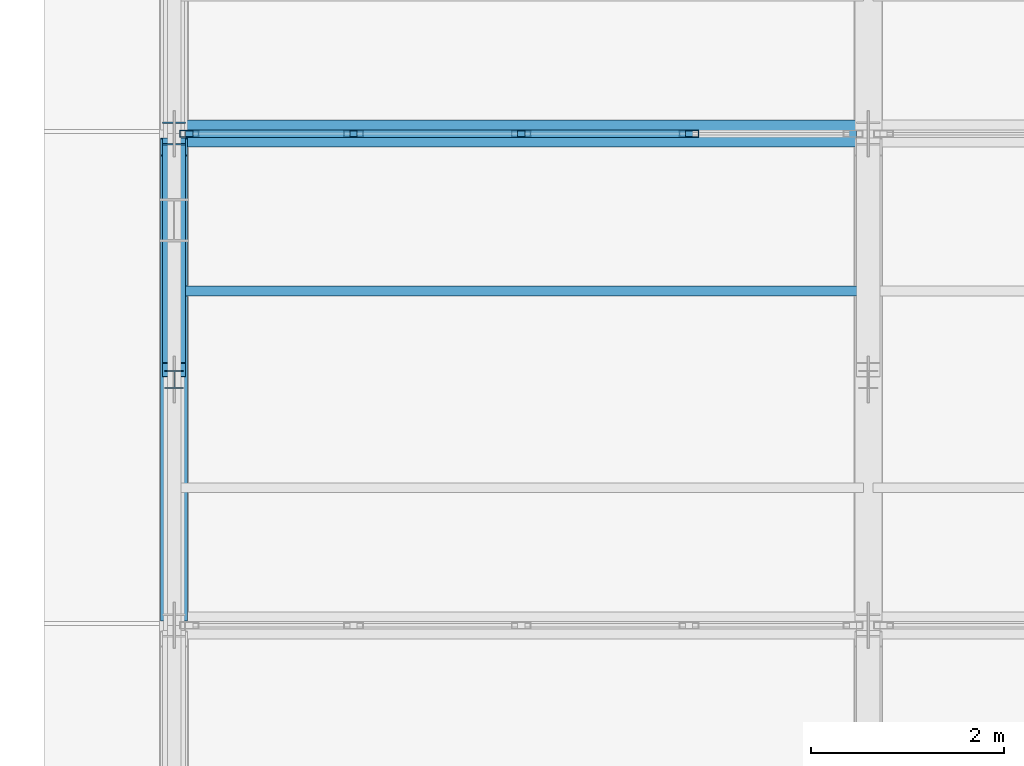
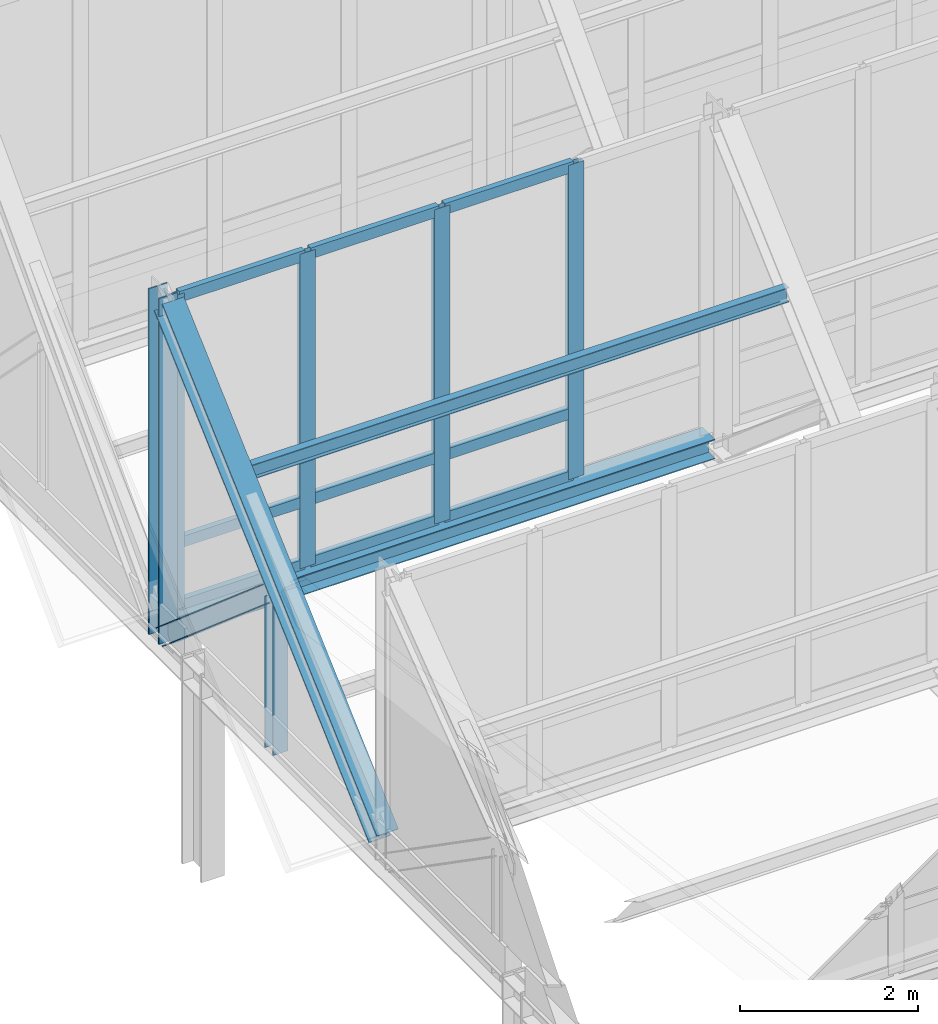
# One storey, part 40 of 157: 18 members, 1 beam, 1 element without a shape of its own.
"""IFC4 building model written with IfcOpenShell, lengths in metres."""

from ifc_helpers import new_model, si_unit, direction, frame, origin, origin_2d, place, context, subcontext, project, spatial, hollow_rectangle, i_section, extrude, material, material_profile, profile_set, type_object, element, aggregate, save


model = new_model("IFC4")

# Units and contexts
model_context = context("Model", 3, precision=1e-05, world=origin(), true_north=direction((0.0, 1.0)))
body_context = subcontext(model_context, "Body", "Model", "MODEL_VIEW")
ifc_project = project(units=[si_unit("LENGTHUNIT", "METRE"), si_unit("AREAUNIT", "SQUARE_METRE"), si_unit("VOLUMEUNIT", "CUBIC_METRE"), si_unit("PLANEANGLEUNIT", "RADIAN"), si_unit("MASSUNIT", "GRAM", prefix="KILO")], contexts=[model_context])

# Site, building, storey
site_placement = place(None, origin())
site = spatial("IfcSite", under=ifc_project, at=site_placement, CompositionType="ELEMENT")
building_placement = place(site_placement, origin())
building = spatial("IfcBuilding", under=site, at=building_placement, Name="Suanplinth Sawtooth Commons", CompositionType="ELEMENT")
storey_placement = place(building_placement, frame((0.0, 0.0, 9.0)))
storey = spatial("IfcBuildingStorey", under=building, at=storey_placement, Name="L02", CompositionType="ELEMENT", Elevation=9.0)

# Beam
ifc_material_1 = material(Name="Steel S355JR", Category="steel")
ifc_material_profile_1 = material_profile(ifc_material_1, i_section(OverallWidth=0.280029296875, OverallDepth=0.27001953125, WebThickness=0.008056640625, FlangeThickness=0.012939453125, at=origin_2d()), Name="HEA 280")
ifc_profile_set_1 = profile_set([ifc_material_profile_1], Name="Steel S355JR")
beam_type = type_object("IfcBeamType", Name="B-16", PredefinedType="USERDEFINED", material=ifc_profile_set_1)
beam_placement = place(storey_placement, frame((64.919921875, 65.699951171875, 2.820068359375), z_axis=(1.0, 0.0, 0.0), x_axis=(0.0, 1.0, 0.0)))
element("IfcBeam", 1, at=beam_placement, inside=storey, type_object=beam_type, Name="Sawtooth Valley Girder T4-B1", ObjectType="GIRDER", PredefinedType="USERDEFINED", context=body_context, shape_type="SweptSolid", body=[
    extrude(i_section(OverallWidth=0.280029296875, OverallDepth=0.27001953125, WebThickness=0.008056640625, FlangeThickness=0.012939453125, at=origin_2d()), origin(), (0.0, 0.0, 1.0), 6.9599609375),
])

# Members
ifc_material_profile_2 = material_profile(ifc_material_1, i_section(OverallWidth=0.280029296875, OverallDepth=0.280029296875, WebThickness=0.010498046875, FlangeThickness=0.01806640625, at=origin_2d()), Name="HEB 280")
ifc_profile_set_2 = profile_set([ifc_material_profile_2], Name="Steel S355JR")
member_type_1 = type_object("IfcMemberType", Name="M-02", PredefinedType="CHORD", material=ifc_profile_set_2)
member_1_placement = place(storey_placement, frame((64.800048828125, 60.739990234375, 2.919921875), z_axis=(0.0, 0.740839311711, 0.671682301556), x_axis=(-1.0, 0.0, 0.0)))
element("IfcMember", 2, at=member_1_placement, inside=storey, type_object=member_type_1, Name="Sawtooth Truss T1 Top Chord 3", PredefinedType="CHORD", context=body_context, shape_type="SweptSolid", body=[
    extrude(i_section(OverallWidth=0.280029296875, OverallDepth=0.280029296875, WebThickness=0.010498046875, FlangeThickness=0.01806640625, at=origin_2d()), origin(), (0.0, 0.0, 1.0), 6.50634765625),
])
ifc_material_profile_3 = material_profile(ifc_material_1, i_section(OverallWidth=0.239990234375, OverallDepth=0.22998046875, WebThickness=0.007568359375, FlangeThickness=0.011962890625, at=origin_2d()), Name="HEA 240")
ifc_profile_set_3 = profile_set([ifc_material_profile_3], Name="Steel S355JR")
member_type_2 = type_object("IfcMemberType", Name="M-03", PredefinedType="BRACE", material=ifc_profile_set_3)
member_2_placement = place(storey_placement, frame((64.800048828125, 63.25, 4.7451171875), z_axis=(0.0, 0.759593581641, -0.65039802485), x_axis=(-1.0, 0.0, 0.0)))
element("IfcMember", 3, at=member_2_placement, inside=storey, type_object=member_type_2, Name="Sawtooth Truss T1 Web Diagonal 3", PredefinedType="BRACE", context=body_context, shape_type="SweptSolid", body=[
    extrude(i_section(OverallWidth=0.239990234375, OverallDepth=0.22998046875, WebThickness=0.007568359375, FlangeThickness=0.011962890625, at=origin_2d()), origin(), (0.0, 0.0, 1.0), 3.067626953125),
])
ifc_material_profile_4 = material_profile(ifc_material_1, i_section(OverallWidth=0.199951171875, OverallDepth=0.18994140625, WebThickness=0.006591796875, FlangeThickness=0.010009765625, at=origin_2d()), Name="HEA 200")
ifc_profile_set_4 = profile_set([ifc_material_profile_4], Name="Steel S355JR")
member_type_3 = type_object("IfcMemberType", Name="M-04", PredefinedType="BRACE", material=ifc_profile_set_4)
member_3_placement = place(storey_placement, frame((64.800048828125, 63.14990234375, 2.64990234375), z_axis=(0.0, 0.0, 1.0), x_axis=(1.0, 0.0, 0.0)))
element("IfcMember", 4, at=member_3_placement, inside=storey, type_object=member_type_3, Name="Sawtooth Truss T1 Mid Web Post 3", PredefinedType="BRACE", context=body_context, shape_type="SweptSolid", body=[
    extrude(i_section(OverallWidth=0.199951171875, OverallDepth=0.18994140625, WebThickness=0.006591796875, FlangeThickness=0.010009765625, at=origin_2d()), origin(), (0.0, 0.0, 1.0), 2.0751953125),
])
ifc_material_profile_5 = material_profile(ifc_material_1, i_section(OverallWidth=0.239990234375, OverallDepth=0.239990234375, WebThickness=0.010009765625, FlangeThickness=0.01708984375, at=origin_2d()), Name="HEB 240")
ifc_profile_set_5 = profile_set([ifc_material_profile_5], Name="Steel S355JR")
member_type_4 = type_object("IfcMemberType", Name="M-05", PredefinedType="POST", material=ifc_profile_set_5)
member_4_placement = place(storey_placement, frame((64.800048828125, 65.699951171875, 2.64990234375), z_axis=(0.0, 0.0, 1.0), x_axis=(1.0, 0.0, 0.0)))
element("IfcMember", 5, at=member_4_placement, inside=storey, type_object=member_type_4, Name="Sawtooth Truss T1 Clerestory Post 3", PredefinedType="POST", context=body_context, shape_type="SweptSolid", body=[
    extrude(i_section(OverallWidth=0.239990234375, OverallDepth=0.239990234375, WebThickness=0.010009765625, FlangeThickness=0.01708984375, at=origin_2d()), origin(), (0.0, 0.0, 1.0), 4.739990234375),
])
ifc_material_2 = material(Name="Steel SS400", Category="steel")
ifc_material_profile_6 = material_profile(ifc_material_2, i_section(OverallWidth=0.10009765625, OverallDepth=0.199951171875, WebThickness=0.005615234375, FlangeThickness=0.008544921875, at=origin_2d()), Name="IPE 200")
ifc_profile_set_6 = profile_set([ifc_material_profile_6], Name="Steel SS400")
member_type_5 = type_object("IfcMemberType", Name="M-06", PredefinedType="PURLIN", material=ifc_profile_set_6)
member_5_placement = place(storey_placement, frame((64.85009765625, 64.068115234375, 5.84716796875), z_axis=(1.0, 0.0, 0.0), x_axis=(0.0, 1.0, 0.0)))
element("IfcMember", 6, at=member_5_placement, inside=storey, type_object=member_type_5, Name="Sawtooth Roof Purlin T3-B1-P2", PredefinedType="PURLIN", context=body_context, shape_type="SweptSolid", body=[
    extrude(i_section(OverallWidth=0.10009765625, OverallDepth=0.199951171875, WebThickness=0.005615234375, FlangeThickness=0.008544921875, at=origin_2d()), origin(), (0.0, 0.0, 1.0), 7.099853515625),
])

# Curtain wall, members
ifc_material_3 = material(Name="Anodized aluminium and low-E glazing", Category="aluminium")
curtain_wall_type = type_object("IfcCurtainWallType", Name="CW-03", PredefinedType="USERDEFINED", material=ifc_material_3)
curtain_wall_placement = place(storey_placement, origin())
curtain_wall = element("IfcCurtainWall", 7, at=curtain_wall_placement, inside=storey, type_object=curtain_wall_type, Name="Curtain Wall CW-SAW-T3-B1", ObjectType="CURTAIN WALL", PredefinedType="USERDEFINED")
ifc_material_4 = material(Name="Anodized aluminium 6063-T6", Category="aluminium")
ifc_material_profile_7 = material_profile(ifc_material_4, hollow_rectangle(XDim=0.074951171875, YDim=0.199951171875, WallThickness=0.0048828125, at=origin_2d()), Name="ALU-MUL 75x200")
ifc_profile_set_7 = profile_set([ifc_material_profile_7], Name="Anodized aluminium 6063-T6")
member_type_6 = type_object("IfcMemberType", Name="M-14", PredefinedType="MULLION", material=ifc_profile_set_7)
member_6_placement = place(storey_placement, frame((64.95751953125, 65.699951171875, 2.97998046875), z_axis=(0.0, 0.0, 1.0), x_axis=(0.0, 1.0, 0.0)))
member_6 = element("IfcMember", 8, at=member_6_placement, type_object=member_type_6, Name="CW-03 mullion 1", PredefinedType="MULLION", context=body_context, shape_type="SweptSolid", body=[
    extrude(hollow_rectangle(XDim=0.074951171875, YDim=0.199951171875, WallThickness=0.0048828125, at=origin_2d()), origin(), (0.0, 0.0, 1.0), 4.31005859375),
])
member_7_placement = place(storey_placement, frame((66.659912109375, 65.699951171875, 2.97998046875), z_axis=(0.0, 0.0, 1.0), x_axis=(0.0, 1.0, 0.0)))
member_7 = element("IfcMember", 9, at=member_7_placement, type_object=member_type_6, Name="CW-03 mullion 2", PredefinedType="MULLION", context=body_context, shape_type="SweptSolid", body=[
    extrude(hollow_rectangle(XDim=0.074951171875, YDim=0.199951171875, WallThickness=0.0048828125, at=origin_2d()), origin(), (0.0, 0.0, 1.0), 4.31005859375),
])
member_8_placement = place(storey_placement, frame((68.39990234375, 65.699951171875, 2.97998046875), z_axis=(0.0, 0.0, 1.0), x_axis=(0.0, 1.0, 0.0)))
member_8 = element("IfcMember", 10, at=member_8_placement, type_object=member_type_6, Name="CW-03 mullion 3", PredefinedType="MULLION", context=body_context, shape_type="SweptSolid", body=[
    extrude(hollow_rectangle(XDim=0.074951171875, YDim=0.199951171875, WallThickness=0.0048828125, at=origin_2d()), origin(), (0.0, 0.0, 1.0), 4.31005859375),
])
member_9_placement = place(storey_placement, frame((70.139892578125, 65.699951171875, 2.97998046875), z_axis=(0.0, 0.0, 1.0), x_axis=(0.0, 1.0, 0.0)))
member_9 = element("IfcMember", 11, at=member_9_placement, type_object=member_type_6, Name="CW-03 mullion 4", PredefinedType="MULLION", context=body_context, shape_type="SweptSolid", body=[
    extrude(hollow_rectangle(XDim=0.074951171875, YDim=0.199951171875, WallThickness=0.0048828125, at=origin_2d()), origin(), (0.0, 0.0, 1.0), 4.31005859375),
])
ifc_material_profile_8 = material_profile(ifc_material_4, hollow_rectangle(XDim=0.074951171875, YDim=0.14990234375, WallThickness=0.00439453125, at=origin_2d()), Name="ALU-TRN 75x150")
ifc_profile_set_8 = profile_set([ifc_material_profile_8], Name="Anodized aluminium 6063-T6")
member_type_7 = type_object("IfcMemberType", Name="M-16", PredefinedType="USERDEFINED", material=ifc_profile_set_8)
member_10_placement = place(storey_placement, frame((64.9951171875, 65.699951171875, 3.017578125), z_axis=(1.0, 0.0, 0.0), x_axis=(0.0, 1.0, 0.0)))
member_10 = element("IfcMember", 12, at=member_10_placement, type_object=member_type_7, Name="CW-03 transom 1.1", ObjectType="TRANSOM", PredefinedType="USERDEFINED", context=body_context, shape_type="SweptSolid", body=[
    extrude(hollow_rectangle(XDim=0.074951171875, YDim=0.14990234375, WallThickness=0.00439453125, at=origin_2d()), origin(), (0.0, 0.0, 1.0), 1.62744140625),
])
member_11_placement = place(storey_placement, frame((64.9951171875, 65.699951171875, 3.8798828125), z_axis=(1.0, 0.0, 0.0), x_axis=(0.0, 1.0, 0.0)))
member_11 = element("IfcMember", 13, at=member_11_placement, type_object=member_type_7, Name="CW-03 transom 1.2", ObjectType="TRANSOM", PredefinedType="USERDEFINED", context=body_context, shape_type="SweptSolid", body=[
    extrude(hollow_rectangle(XDim=0.074951171875, YDim=0.14990234375, WallThickness=0.00439453125, at=origin_2d()), origin(), (0.0, 0.0, 1.0), 1.62744140625),
])
member_12_placement = place(storey_placement, frame((64.9951171875, 65.699951171875, 7.25244140625), z_axis=(1.0, 0.0, 0.0), x_axis=(0.0, 1.0, 0.0)))
member_12 = element("IfcMember", 14, at=member_12_placement, type_object=member_type_7, Name="CW-03 transom 1.3", ObjectType="TRANSOM", PredefinedType="USERDEFINED", context=body_context, shape_type="SweptSolid", body=[
    extrude(hollow_rectangle(XDim=0.074951171875, YDim=0.14990234375, WallThickness=0.00439453125, at=origin_2d()), origin(), (0.0, 0.0, 1.0), 1.62744140625),
])
member_13_placement = place(storey_placement, frame((66.697509765625, 65.699951171875, 3.017578125), z_axis=(1.0, 0.0, 0.0), x_axis=(0.0, 1.0, 0.0)))
member_13 = element("IfcMember", 15, at=member_13_placement, type_object=member_type_7, Name="CW-03 transom 2.1", ObjectType="TRANSOM", PredefinedType="USERDEFINED", context=body_context, shape_type="SweptSolid", body=[
    extrude(hollow_rectangle(XDim=0.074951171875, YDim=0.14990234375, WallThickness=0.00439453125, at=origin_2d()), origin(), (0.0, 0.0, 1.0), 1.6650390625),
])
member_14_placement = place(storey_placement, frame((66.697509765625, 65.699951171875, 3.8798828125), z_axis=(1.0, 0.0, 0.0), x_axis=(0.0, 1.0, 0.0)))
member_14 = element("IfcMember", 16, at=member_14_placement, type_object=member_type_7, Name="CW-03 transom 2.2", ObjectType="TRANSOM", PredefinedType="USERDEFINED", context=body_context, shape_type="SweptSolid", body=[
    extrude(hollow_rectangle(XDim=0.074951171875, YDim=0.14990234375, WallThickness=0.00439453125, at=origin_2d()), origin(), (0.0, 0.0, 1.0), 1.6650390625),
])
member_15_placement = place(storey_placement, frame((66.697509765625, 65.699951171875, 7.25244140625), z_axis=(1.0, 0.0, 0.0), x_axis=(0.0, 1.0, 0.0)))
member_15 = element("IfcMember", 17, at=member_15_placement, type_object=member_type_7, Name="CW-03 transom 2.3", ObjectType="TRANSOM", PredefinedType="USERDEFINED", context=body_context, shape_type="SweptSolid", body=[
    extrude(hollow_rectangle(XDim=0.074951171875, YDim=0.14990234375, WallThickness=0.00439453125, at=origin_2d()), origin(), (0.0, 0.0, 1.0), 1.6650390625),
])
member_16_placement = place(storey_placement, frame((68.4375, 65.699951171875, 3.017578125), z_axis=(1.0, 0.0, 0.0), x_axis=(0.0, 1.0, 0.0)))
member_16 = element("IfcMember", 18, at=member_16_placement, type_object=member_type_7, Name="CW-03 transom 3.1", ObjectType="TRANSOM", PredefinedType="USERDEFINED", context=body_context, shape_type="SweptSolid", body=[
    extrude(hollow_rectangle(XDim=0.074951171875, YDim=0.14990234375, WallThickness=0.00439453125, at=origin_2d()), origin(), (0.0, 0.0, 1.0), 1.6650390625),
])
member_17_placement = place(storey_placement, frame((68.4375, 65.699951171875, 3.8798828125), z_axis=(1.0, 0.0, 0.0), x_axis=(0.0, 1.0, 0.0)))
member_17 = element("IfcMember", 19, at=member_17_placement, type_object=member_type_7, Name="CW-03 transom 3.2", ObjectType="TRANSOM", PredefinedType="USERDEFINED", context=body_context, shape_type="SweptSolid", body=[
    extrude(hollow_rectangle(XDim=0.074951171875, YDim=0.14990234375, WallThickness=0.00439453125, at=origin_2d()), origin(), (0.0, 0.0, 1.0), 1.6650390625),
])
member_18_placement = place(storey_placement, frame((68.4375, 65.699951171875, 7.25244140625), z_axis=(1.0, 0.0, 0.0), x_axis=(0.0, 1.0, 0.0)))
member_18 = element("IfcMember", 20, at=member_18_placement, type_object=member_type_7, Name="CW-03 transom 3.3", ObjectType="TRANSOM", PredefinedType="USERDEFINED", context=body_context, shape_type="SweptSolid", body=[
    extrude(hollow_rectangle(XDim=0.074951171875, YDim=0.14990234375, WallThickness=0.00439453125, at=origin_2d()), origin(), (0.0, 0.0, 1.0), 1.6650390625),
])
aggregate(curtain_wall, [member_6, member_7, member_8, member_9, member_10, member_11, member_12, member_13, member_14, member_15, member_16, member_17, member_18])

save(model, "model.ifc")
